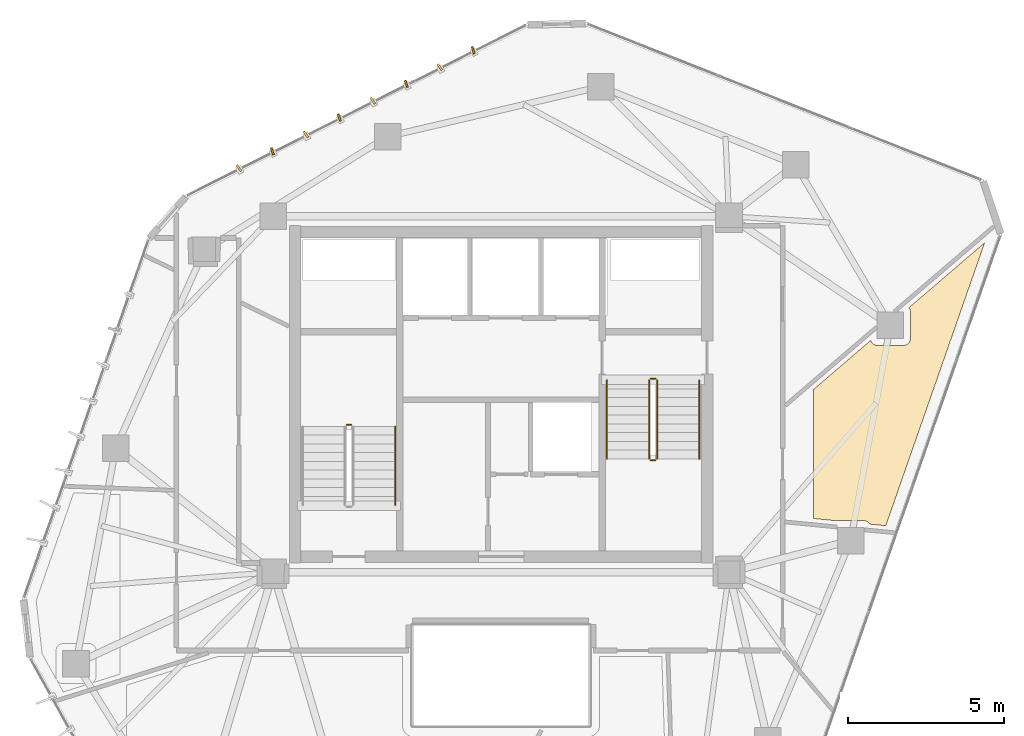
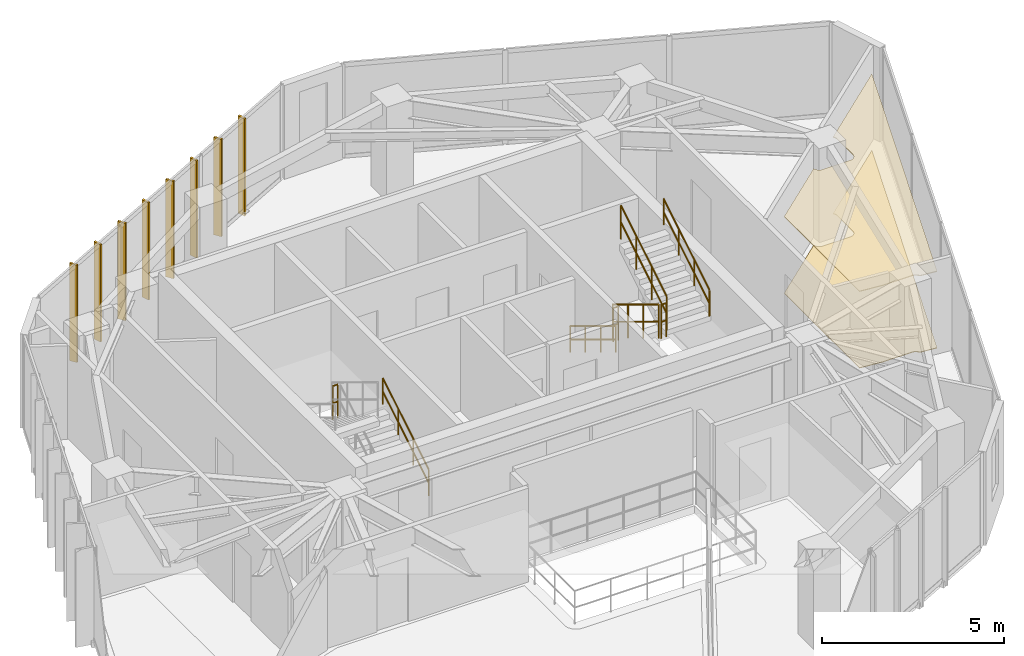
# One storey, part 21 of 21: 8 railings, 8 shading devices, 2 coverings.
"""IFC4 building model written with IfcOpenShell, lengths in metres."""

from ifc_helpers import new_model, si_unit, direction, frame, origin, origin_2d, place, context, subcontext, project, spatial, polyline, rectangle, circle, outline, extrude, source, transform, mapped, material, layer, layer_set, type_object, type_shapes, element, save


model = new_model("IFC4")

# Units and contexts
model_context = context("Model", 3, precision=1e-05, world=origin(), true_north=direction((0.0, 1.0)))
body_context = subcontext(model_context, "Body", "Model", "MODEL_VIEW")
ifc_project = project(units=[si_unit("LENGTHUNIT", "METRE"), si_unit("AREAUNIT", "SQUARE_METRE"), si_unit("VOLUMEUNIT", "CUBIC_METRE"), si_unit("PLANEANGLEUNIT", "RADIAN"), si_unit("MASSUNIT", "GRAM", prefix="KILO")], contexts=[model_context])

# Site, building, storey
site_placement = place(None, origin())
site = spatial("IfcSite", under=ifc_project, at=site_placement, CompositionType="ELEMENT")
building_placement = place(site_placement, origin())
building = spatial("IfcBuilding", under=site, at=building_placement, Name="Talar Marvaseh", CompositionType="ELEMENT")
storey_placement = place(building_placement, frame((0.0, 0.0, 264.60009765625)))
storey = spatial("IfcBuildingStorey", under=building, at=storey_placement, Name="L70", CompositionType="ELEMENT", Elevation=264.60009765625)

# Railings
ifc_material_1 = material(Name="Stainless Steel Grade 316", Category="steel")
railing_type_1 = type_object("IfcRailingType", Name="Brushed Stainless Wall Pitch Handrail 900", PredefinedType="HANDRAIL", material=ifc_material_1)
railing_1_placement = place(storey_placement, frame((22.610107421875, 27.64990234375, 0.169921875)))
element("IfcRailing", 1, at=railing_1_placement, inside=storey, type_object=railing_type_1, Name="L70 ST-1 stair handrail 1", PredefinedType="HANDRAIL", context=body_context, shape_type="SweptSolid", body=[
    extrude(circle(Radius=0.02392578125, at=origin_2d()), frame((0.0, 0.0, 0.8759765625), z_axis=(0.0, 0.85478489116, 0.518982456201), x_axis=(-1.0, 0.0, 0.0)), (0.0, 0.0, 1.0), 2.9482421875),
    extrude(circle(Radius=0.02392578125, at=origin_2d()), frame((0.0, 0.0, 0.42578125), z_axis=(0.0, 0.85478489116, 0.518982456201), x_axis=(-1.0, 0.0, 0.0)), (0.0, 0.0, 1.0), 2.9482421875),
    extrude(circle(Radius=0.02099609375, at=origin_2d()), origin(), (0.0, 0.0, 1.0), 0.851806640625),
    extrude(circle(Radius=0.02099609375, at=origin_2d()), frame((0.0, 0.840087890625, 0.510009765625)), (0.0, 0.0, 1.0), 0.851806640625),
    extrude(circle(Radius=0.02099609375, at=origin_2d()), frame((0.0, 1.679931640625, 1.02001953125)), (0.0, 0.0, 1.0), 0.851806640625),
    extrude(circle(Radius=0.02099609375, at=origin_2d()), frame((0.0, 2.52001953125, 1.530029296875)), (0.0, 0.0, 1.0), 0.851806640625),
])
railing_2_placement = place(storey_placement, frame((29.389892578125, 31.64990234375, 0.169921875)))
element("IfcRailing", 2, at=railing_2_placement, inside=storey, type_object=railing_type_1, Name="L70 ST-2 stair handrail 1", PredefinedType="HANDRAIL", context=body_context, shape_type="SweptSolid", body=[
    extrude(circle(Radius=0.02392578125, at=origin_2d()), frame((0.0, 0.0, 0.8759765625), z_axis=(0.0, -0.85478489116, 0.518982456201), x_axis=(1.0, 0.0, 0.0)), (0.0, 0.0, 1.0), 2.9482421875),
    extrude(circle(Radius=0.02392578125, at=origin_2d()), frame((0.0, 0.0, 0.42578125), z_axis=(0.0, -0.85478489116, 0.518982456201), x_axis=(1.0, 0.0, 0.0)), (0.0, 0.0, 1.0), 2.9482421875),
    extrude(circle(Radius=0.02099609375, at=origin_2d()), origin(), (0.0, 0.0, 1.0), 0.851806640625),
    extrude(circle(Radius=0.02099609375, at=origin_2d()), frame((0.0, -0.840087890625, 0.510009765625)), (0.0, 0.0, 1.0), 0.851806640625),
    extrude(circle(Radius=0.02099609375, at=origin_2d()), frame((0.0, -1.679931640625, 1.02001953125)), (0.0, 0.0, 1.0), 0.851806640625),
    extrude(circle(Radius=0.02099609375, at=origin_2d()), frame((0.0, -2.52001953125, 1.530029296875)), (0.0, 0.0, 1.0), 0.851806640625),
])
railing_3_placement = place(storey_placement, frame((32.35009765625, 29.1298828125, 1.869873046875)))
element("IfcRailing", 3, at=railing_3_placement, inside=storey, type_object=railing_type_1, Name="L70 ST-2 stair handrail 2", PredefinedType="HANDRAIL", context=body_context, shape_type="SweptSolid", body=[
    extrude(circle(Radius=0.02392578125, at=origin_2d()), frame((0.0, 0.0, 0.8759765625), z_axis=(0.0, 0.85478489116, 0.518982456201), x_axis=(-1.0, 0.0, 0.0)), (0.0, 0.0, 1.0), 2.9482421875),
    extrude(circle(Radius=0.02392578125, at=origin_2d()), frame((0.0, 0.0, 0.42578125), z_axis=(0.0, 0.85478489116, 0.518982456201), x_axis=(-1.0, 0.0, 0.0)), (0.0, 0.0, 1.0), 2.9482421875),
    extrude(circle(Radius=0.02099609375, at=origin_2d()), origin(), (0.0, 0.0, 1.0), 0.851806640625),
    extrude(circle(Radius=0.02099609375, at=origin_2d()), frame((0.0, 0.840087890625, 0.510009765625)), (0.0, 0.0, 1.0), 0.851806640625),
    extrude(circle(Radius=0.02099609375, at=origin_2d()), frame((0.0, 1.679931640625, 1.02001953125)), (0.0, 0.0, 1.0), 0.851806640625),
    extrude(circle(Radius=0.02099609375, at=origin_2d()), frame((0.0, 2.52001953125, 1.530029296875)), (0.0, 0.0, 1.0), 0.851806640625),
])
railing_type_2 = type_object("IfcRailingType", Name="Painted Steel Core Stair Well Guardrail 1150", PredefinedType="GUARDRAIL", material=ifc_material_1)
railing_4_placement = place(storey_placement, frame((21.2099609375, 30.219970703125, 1.699951171875)))
element("IfcRailing", 4, at=railing_4_placement, inside=storey, type_object=railing_type_2, Name="L70 ST-1 stair guard 2", PredefinedType="GUARDRAIL", context=body_context, shape_type="SweptSolid", body=[
    extrude(circle(Radius=0.02392578125, at=origin_2d()), frame((0.0, 0.0, 1.1259765625), z_axis=(-1.0, 0.0, 0.0), x_axis=(0.0, -1.0, 0.0)), (0.0, 0.0, 1.0), 0.159912109375),
    extrude(circle(Radius=0.02392578125, at=origin_2d()), frame((0.0, 0.0, 0.55078125), z_axis=(-1.0, 0.0, 0.0), x_axis=(0.0, -1.0, 0.0)), (0.0, 0.0, 1.0), 0.159912109375),
    extrude(circle(Radius=0.02099609375, at=origin_2d()), origin(), (0.0, 0.0, 1.0), 1.101806640625),
    extrude(circle(Radius=0.02099609375, at=origin_2d()), frame((-0.159912109375, 0.0, 0.0)), (0.0, 0.0, 1.0), 1.101806640625),
])
railing_5_placement = place(storey_placement, frame((30.739990234375, 31.64990234375, 0.169921875)))
element("IfcRailing", 5, at=railing_5_placement, inside=storey, type_object=railing_type_2, Name="L70 ST-2 stair guard 1", PredefinedType="GUARDRAIL", context=body_context, shape_type="SweptSolid", body=[
    extrude(circle(Radius=0.02392578125, at=origin_2d()), frame((0.0, 0.0, 1.1259765625), z_axis=(0.0, -0.85478489116, 0.518982456201), x_axis=(1.0, 0.0, 0.0)), (0.0, 0.0, 1.0), 2.9482421875),
    extrude(circle(Radius=0.02392578125, at=origin_2d()), frame((0.0, 0.0, 0.55078125), z_axis=(0.0, -0.85478489116, 0.518982456201), x_axis=(1.0, 0.0, 0.0)), (0.0, 0.0, 1.0), 2.9482421875),
    extrude(circle(Radius=0.02099609375, at=origin_2d()), origin(), (0.0, 0.0, 1.0), 1.101806640625),
    extrude(circle(Radius=0.02099609375, at=origin_2d()), frame((0.0, -0.840087890625, 0.510009765625)), (0.0, 0.0, 1.0), 1.101806640625),
    extrude(circle(Radius=0.02099609375, at=origin_2d()), frame((0.0, -1.679931640625, 1.02001953125)), (0.0, 0.0, 1.0), 1.101806640625),
    extrude(circle(Radius=0.02099609375, at=origin_2d()), frame((0.0, -2.52001953125, 1.530029296875)), (0.0, 0.0, 1.0), 1.101806640625),
])
railing_6_placement = place(storey_placement, frame((30.7900390625, 29.080078125, 1.699951171875)))
element("IfcRailing", 6, at=railing_6_placement, inside=storey, type_object=railing_type_2, Name="L70 ST-2 stair guard 2", PredefinedType="GUARDRAIL", context=body_context, shape_type="SweptSolid", body=[
    extrude(circle(Radius=0.02392578125, at=origin_2d()), frame((0.0, 0.0, 1.1259765625), z_axis=(1.0, 0.0, 0.0), x_axis=(0.0, 1.0, 0.0)), (0.0, 0.0, 1.0), 0.159912109375),
    extrude(circle(Radius=0.02392578125, at=origin_2d()), frame((0.0, 0.0, 0.55078125), z_axis=(1.0, 0.0, 0.0), x_axis=(0.0, 1.0, 0.0)), (0.0, 0.0, 1.0), 0.159912109375),
    extrude(circle(Radius=0.02099609375, at=origin_2d()), origin(), (0.0, 0.0, 1.0), 1.101806640625),
    extrude(circle(Radius=0.02099609375, at=origin_2d()), frame((0.159912109375, 0.0, 0.0)), (0.0, 0.0, 1.0), 1.101806640625),
])
railing_7_placement = place(storey_placement, frame((31.0, 29.1298828125, 1.869873046875)))
element("IfcRailing", 7, at=railing_7_placement, inside=storey, type_object=railing_type_2, Name="L70 ST-2 stair guard 3", PredefinedType="GUARDRAIL", context=body_context, shape_type="SweptSolid", body=[
    extrude(circle(Radius=0.02392578125, at=origin_2d()), frame((0.0, 0.0, 1.1259765625), z_axis=(0.0, 0.85478489116, 0.518982456201), x_axis=(-1.0, 0.0, 0.0)), (0.0, 0.0, 1.0), 2.9482421875),
    extrude(circle(Radius=0.02392578125, at=origin_2d()), frame((0.0, 0.0, 0.55078125), z_axis=(0.0, 0.85478489116, 0.518982456201), x_axis=(-1.0, 0.0, 0.0)), (0.0, 0.0, 1.0), 2.9482421875),
    extrude(circle(Radius=0.02099609375, at=origin_2d()), origin(), (0.0, 0.0, 1.0), 1.101806640625),
    extrude(circle(Radius=0.02099609375, at=origin_2d()), frame((0.0, 0.840087890625, 0.510009765625)), (0.0, 0.0, 1.0), 1.101806640625),
    extrude(circle(Radius=0.02099609375, at=origin_2d()), frame((0.0, 1.679931640625, 1.02001953125)), (0.0, 0.0, 1.0), 1.101806640625),
    extrude(circle(Radius=0.02099609375, at=origin_2d()), frame((0.0, 2.52001953125, 1.530029296875)), (0.0, 0.0, 1.0), 1.101806640625),
])
railing_8_placement = place(storey_placement, frame((30.7900390625, 31.699951171875, 0.0)))
element("IfcRailing", 8, at=railing_8_placement, inside=storey, type_object=railing_type_2, Name="L70 ST-2 stair guard 4", PredefinedType="GUARDRAIL", context=body_context, shape_type="SweptSolid", body=[
    extrude(circle(Radius=0.02392578125, at=origin_2d()), frame((0.0, 0.0, 1.1259765625), z_axis=(1.0, 0.0, 0.0), x_axis=(0.0, 1.0, 0.0)), (0.0, 0.0, 1.0), 0.159912109375),
    extrude(circle(Radius=0.02392578125, at=origin_2d()), frame((0.0, 0.0, 0.55078125), z_axis=(1.0, 0.0, 0.0), x_axis=(0.0, 1.0, 0.0)), (0.0, 0.0, 1.0), 0.159912109375),
    extrude(circle(Radius=0.02099609375, at=origin_2d()), origin(), (0.0, 0.0, 1.0), 1.101806640625),
    extrude(circle(Radius=0.02099609375, at=origin_2d()), frame((0.159912109375, 0.0, 0.0)), (0.0, 0.0, 1.0), 1.101806640625),
])

# Coverings
ifc_material_2 = material(Name="Mineral Fibre Acoustic Ceiling")
ifc_layer_1 = layer(ifc_material_2, 0.02490234375)
ifc_layer_set_1 = layer_set([ifc_layer_1], Name="Mineral Fibre Acoustic Ceiling")
covering_type_1 = type_object("IfcCoveringType", Name="Perforated Mineral Fibre Acoustic Suspended Ceiling", PredefinedType="CEILING", material=ifc_layer_set_1)
covering_1_placement = place(storey_placement, frame((0.0, 0.0, 2.559814453125)))
element("IfcCovering", 9, at=covering_1_placement, inside=storey, type_object=covering_type_1, Name="L70 Archival Facsimile Boutique Acoustic Ceiling", PredefinedType="CEILING", context=body_context, shape_type="SweptSolid", body=[
    extrude(outline(polyline([(36.0, 31.350341796875), (37.8388671875, 32.92626953125), (37.839599609375, 32.9228515625), (37.84619140625, 32.904296875), (37.854736328125, 32.88671875), (37.86474609375, 32.869873046875), (37.8740234375, 32.85595703125), (37.8857421875, 32.840087890625), (37.89892578125, 32.825439453125), (37.91357421875, 32.812255859375), (37.929443359375, 32.800537109375), (37.9462890625, 32.79052734375), (37.964111328125, 32.7822265625), (37.982666015625, 32.775634765625), (38.001708984375, 32.77099609375), (38.021240234375, 32.76806640625), (38.040771484375, 32.76708984375), (38.906005859375, 32.769287109375), (38.926513671875, 32.7705078125), (38.94677734375, 32.773681640625), (38.96630859375, 32.77880859375), (38.985595703125, 32.7861328125), (39.00390625, 32.79541015625), (39.02099609375, 32.80615234375), (39.037109375, 32.81884765625), (39.052001953125, 32.8330078125), (39.06494140625, 32.848876953125), (39.076416015625, 32.86572265625), (39.086181640625, 32.8837890625), (39.091796875, 32.895263671875), (39.0986328125, 32.91162109375), (39.10400390625, 32.928466796875), (39.10791015625, 32.94580078125), (39.110107421875, 32.96337890625), (39.111083984375, 32.981201171875), (39.1103515625, 33.83544921875), (39.109619140625, 33.854248046875), (39.10693359375, 33.872802734375), (39.1025390625, 33.890869140625), (39.096435546875, 33.90869140625), (39.0888671875, 33.92578125), (39.07958984375, 33.94189453125), (39.06884765625, 33.957275390625), (39.0576171875, 33.970703125), (41.48779296875, 36.0537109375), (38.321533203125, 26.991455078125), (37.80859375, 27.042724609375), (37.80322265625, 27.0517578125), (37.79150390625, 27.0673828125), (37.7783203125, 27.081787109375), (37.764892578125, 27.09521484375), (37.75048828125, 27.1083984375), (37.734619140625, 27.1201171875), (37.7177734375, 27.13037109375), (37.699951171875, 27.138671875), (37.681640625, 27.145263671875), (37.66259765625, 27.150146484375), (37.64306640625, 27.15283203125), (37.62353515625, 27.15380859375), (36.77197265625, 27.154052734375), (36.750732421875, 27.15283203125), (36.732421875, 27.14990234375), (36.0, 27.222900390625), (36.0, 31.350341796875)])), origin(), (0.0, 0.0, 1.0), 0.025146484375),
])
ifc_material_3 = material(Name="Porcelain Stoneware Tile", Category="masonry")
ifc_layer_2 = layer(ifc_material_3, 0.02001953125)
ifc_layer_set_2 = layer_set([ifc_layer_2], Name="Porcelain Stoneware Tile")
covering_type_2 = type_object("IfcCoveringType", Name="Polished Porcelain Stoneware Gallery Flooring", PredefinedType="FLOORING", material=ifc_layer_set_2)
covering_2_placement = place(storey_placement, origin())
element("IfcCovering", 10, at=covering_2_placement, inside=storey, type_object=covering_type_2, Name="L70 Archival Facsimile Boutique Flooring", PredefinedType="FLOORING", context=body_context, shape_type="SweptSolid", body=[
    extrude(outline(polyline([(36.0, 31.350341796875), (37.8388671875, 32.92626953125), (37.839599609375, 32.9228515625), (37.84619140625, 32.904296875), (37.854736328125, 32.88671875), (37.86474609375, 32.869873046875), (37.8740234375, 32.85595703125), (37.8857421875, 32.840087890625), (37.89892578125, 32.825439453125), (37.91357421875, 32.812255859375), (37.929443359375, 32.800537109375), (37.9462890625, 32.79052734375), (37.964111328125, 32.7822265625), (37.982666015625, 32.775634765625), (38.001708984375, 32.77099609375), (38.021240234375, 32.76806640625), (38.040771484375, 32.76708984375), (38.906005859375, 32.769287109375), (38.926513671875, 32.7705078125), (38.94677734375, 32.773681640625), (38.96630859375, 32.77880859375), (38.985595703125, 32.7861328125), (39.00390625, 32.79541015625), (39.02099609375, 32.80615234375), (39.037109375, 32.81884765625), (39.052001953125, 32.8330078125), (39.06494140625, 32.848876953125), (39.076416015625, 32.86572265625), (39.086181640625, 32.8837890625), (39.091796875, 32.895263671875), (39.0986328125, 32.91162109375), (39.10400390625, 32.928466796875), (39.10791015625, 32.94580078125), (39.110107421875, 32.96337890625), (39.111083984375, 32.981201171875), (39.1103515625, 33.83544921875), (39.109619140625, 33.854248046875), (39.10693359375, 33.872802734375), (39.1025390625, 33.890869140625), (39.096435546875, 33.90869140625), (39.0888671875, 33.92578125), (39.07958984375, 33.94189453125), (39.06884765625, 33.957275390625), (39.0576171875, 33.970703125), (41.48779296875, 36.0537109375), (38.321533203125, 26.991455078125), (37.80859375, 27.042724609375), (37.80322265625, 27.0517578125), (37.79150390625, 27.0673828125), (37.7783203125, 27.081787109375), (37.764892578125, 27.09521484375), (37.75048828125, 27.1083984375), (37.734619140625, 27.1201171875), (37.7177734375, 27.13037109375), (37.699951171875, 27.138671875), (37.681640625, 27.145263671875), (37.66259765625, 27.150146484375), (37.64306640625, 27.15283203125), (37.62353515625, 27.15380859375), (36.77197265625, 27.154052734375), (36.750732421875, 27.15283203125), (36.732421875, 27.14990234375), (36.0, 27.222900390625), (36.0, 31.350341796875)])), origin(), (0.0, 0.0, 1.0), 0.02001953125),
])

# Shading devices
ifc_material_4 = material(Name="Anodised Champagne Bronze Aluminium", Category="aluminium")
ifc_layer_3 = layer(ifc_material_4, 0.06494140625)
ifc_layer_set_3 = layer_set([ifc_layer_3], Name="Anodised Champagne Bronze Aluminium")
shading_device_type = type_object("IfcShadingDeviceType", Name="Sawtooth Champagne Bronze Vertical Fin 240", PredefinedType="USERDEFINED", material=ifc_layer_set_3)
shared_shape = source(origin(), body_context, "Body", "SweptSolid", [
    extrude(rectangle(XDim=0.239990234375, YDim=0.06494140625, at=origin_2d()), origin(), (0.0, 0.0, 1.0), 3.260009765625),
])
type_shapes(shading_device_type, [shared_shape])
for number, where, z_axis, x_axis, name in (
    (11, (17.60400390625, 38.4453125, -0.1201171875), (0.0, 0.0, 1.0), (-0.568992506345, 0.82234270698, 0.0), "L70 Sawtooth Vertical Solar Fin"),
    (12, (18.67626953125, 38.984130859375, -0.1201171875), (0.0, 0.0, 1.0), (-0.320282332298, 0.947322135083, 0.0), "L70 Sawtooth Vertical Solar Fin"),
    (13, (19.74853515625, 39.52294921875, -0.1201171875), (0.0, 0.0, 1.0), (-0.568992506345, 0.82234270698, 0.0), "L70 Sawtooth Vertical Solar Fin"),
    (14, (20.82080078125, 40.061767578125, -0.1201171875), (0.0, 0.0, 1.0), (-0.320282332298, 0.947322135083, 0.0), "L70 Sawtooth Vertical Solar Fin"),
    (15, (21.89306640625, 40.6005859375, -0.1201171875), (0.0, 0.0, 1.0), (-0.568992506345, 0.82234270698, 0.0), "L70 Sawtooth Vertical Solar Fin"),
    (16, (22.965087890625, 41.139404296875, -0.1201171875), (0.0, 0.0, 1.0), (-0.320282332298, 0.947322135083, 0.0), "L70 Sawtooth Vertical Solar Fin"),
    (17, (24.037353515625, 41.678466796875, -0.1201171875), (0.0, 0.0, 1.0), (-0.568992506345, 0.82234270698, 0.0), "L70 Sawtooth Vertical Solar Fin"),
    (18, (25.109619140625, 42.21728515625, -0.1201171875), (0.0, 0.0, 1.0), (-0.320282332298, 0.947322135083, 0.0), "L70 Sawtooth Vertical Solar Fin"),
):
    element("IfcShadingDevice", number, at=place(storey_placement, frame(where, z_axis=z_axis, x_axis=x_axis)), inside=storey, type_object=shading_device_type, Name=name, ObjectType="FIN", PredefinedType="USERDEFINED", context=body_context, shape_type="MappedRepresentation", body=[
        mapped(shared_shape, transform((0.0, 0.0, 0.0), x_axis=(1.0, 0.0, 0.0), y_axis=(0.0, 1.0, 0.0), z_axis=(0.0, 0.0, 1.0), scale=1.0)),
    ])

save(model, "model.ifc")
